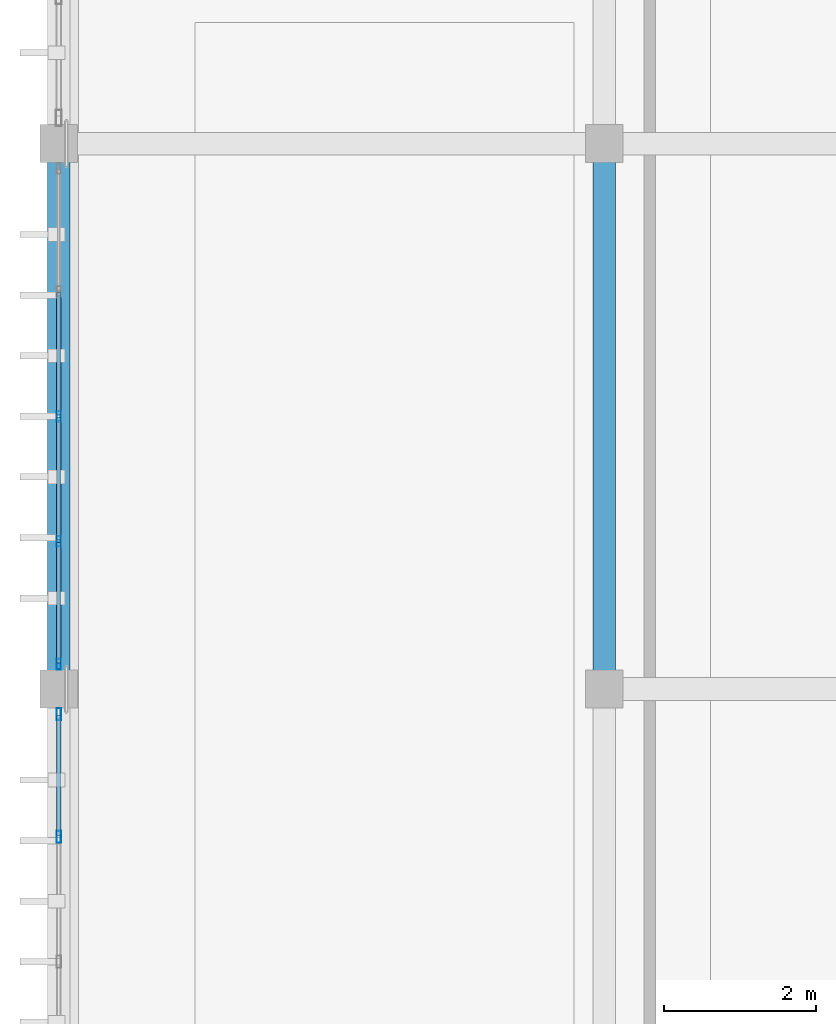
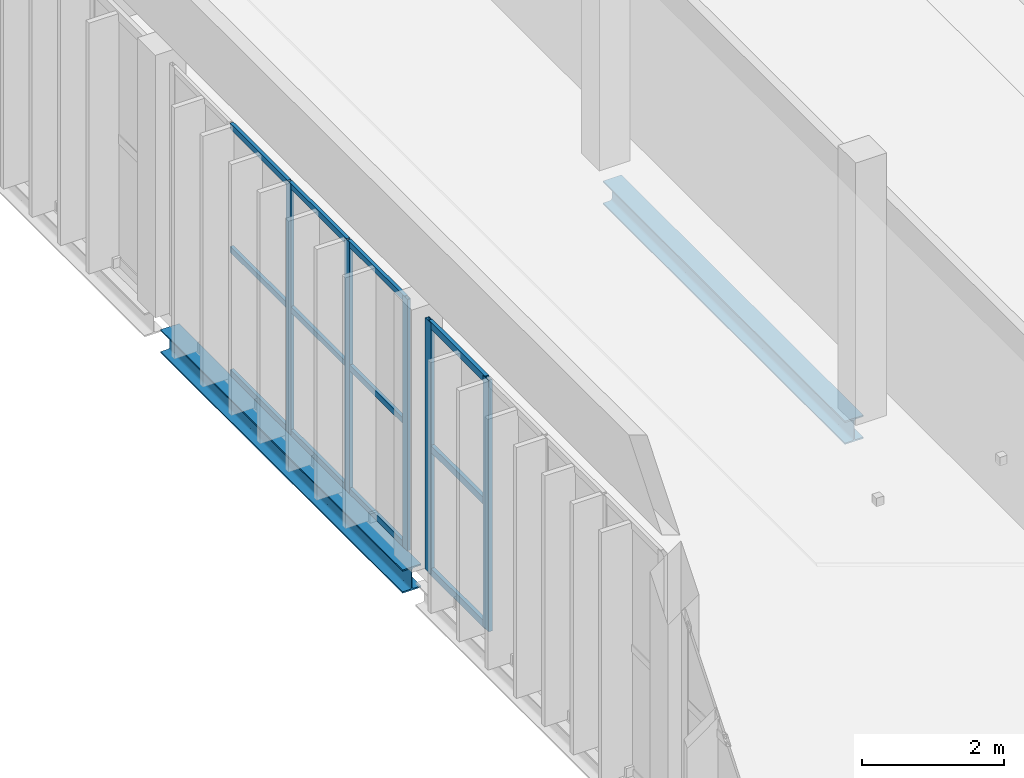
# One storey, part 11 of 64: 17 members, 2 beams, 2 elements without a shape of their own.
"""IFC4 building model written with IfcOpenShell, lengths in metres."""

import ifcopenshell
import ifcopenshell.guid

model = None  # the IFC model being written
_history = None  # IfcOwnerHistory: only IFC2X3 demands one
_inside = {}  # id of a spatial element -> (the spatial element, [elements in it])
_under = {}  # id of a project, library or spatial element -> (it, [spatial elements below it])
_declared = {}  # id of a project -> (the project, [libraries it declares])
_typed = {}  # id of a type object -> (the type object, [elements of that type])
_made_of = {}  # id of a material, layer set ... -> (it, [elements and type objects made of it])


def new_model(schema):
    """Start an empty IFC model of exactly this schema.

    Asked for "IFC4X3", IfcOpenShell would pick the latest addendum, in which some entities
    have other attributes; the version numbers below select the first issue.
    IFC2X3 requires an IfcOwnerHistory on every rooted entity: one is made here for all.
    """
    global model, _history
    if schema == "IFC4X3":
        model = ifcopenshell.file(schema_version=(4, 3, 0, 0))
    else:
        model = ifcopenshell.file(schema=schema)
    _inside.clear()
    _under.clear()
    _declared.clear()
    _typed.clear()
    _made_of.clear()
    _history = None
    if model.schema == "IFC2X3":
        org = make("IfcOrganization", Name="unknown")
        user = make(
            "IfcPersonAndOrganization",
            ThePerson=make("IfcPerson", FamilyName="unknown"),
            TheOrganization=org,
        )
        app = make(
            "IfcApplication",
            ApplicationDeveloper=org,
            Version="unknown",
            ApplicationFullName="unknown",
            ApplicationIdentifier="unknown",
        )
        _history = make(
            "IfcOwnerHistory",
            OwningUser=user,
            OwningApplication=app,
            ChangeAction="ADDED",
            CreationDate=0,
        )
    return model


def make(cls, **values):
    """One entity of the class cls with the attributes given. An attribute that is None is left unset."""
    return model.create_entity(
        cls, **{name: value for name, value in values.items() if value is not None}
    )


def rooted(cls, **values):
    """An entity with a GlobalId (a new one), such as an element, a storey or a relation."""
    return make(cls, GlobalId=ifcopenshell.guid.new(), OwnerHistory=_history, **values)


def si_unit(unit_type, name, prefix=None):
    """IfcSIUnit, for example si_unit("LENGTHUNIT", "METRE", prefix="MILLI")."""
    return make("IfcSIUnit", UnitType=unit_type, Prefix=prefix, Name=name)


def assignment(units):
    """IfcUnitAssignment: the units of a project."""
    return None if units is None else make("IfcUnitAssignment", Units=units)


def point(xyz):
    """IfcCartesianPoint."""
    return None if xyz is None else make("IfcCartesianPoint", Coordinates=xyz)


def direction(xyz):
    """IfcDirection."""
    return None if xyz is None else make("IfcDirection", DirectionRatios=xyz)


def frame(location, z_axis=None, x_axis=None):
    """IfcAxis2Placement3D, a coordinate frame: its origin and axes. An axis left out is left unset."""
    return make(
        "IfcAxis2Placement3D",
        Location=point(location),
        Axis=direction(z_axis),
        RefDirection=direction(x_axis),
    )


def frame_2d(location, x_axis=None):
    """IfcAxis2Placement2D, a coordinate frame in the plane: its origin and x axis."""
    return make(
        "IfcAxis2Placement2D", Location=point(location), RefDirection=direction(x_axis)
    )


def origin():
    """The frame at (0, 0, 0) with its axes left unset."""
    return frame((0.0, 0.0, 0.0))


def origin_2d():
    """The frame at (0, 0) in the plane with its x axis left unset."""
    return frame_2d((0.0, 0.0))


def place(relative_to, where):
    """IfcLocalPlacement: puts the frame where relative to a parent placement (None: the world)."""
    return make(
        "IfcLocalPlacement", PlacementRelTo=relative_to, RelativePlacement=where
    )


def context(
    kind, dimensions, precision=None, world=None, true_north=None, identifier=None
):
    """IfcGeometricRepresentationContext, for example the 3D "Model" context."""
    return make(
        "IfcGeometricRepresentationContext",
        ContextIdentifier=identifier,
        ContextType=kind,
        CoordinateSpaceDimension=dimensions,
        Precision=precision,
        WorldCoordinateSystem=world,
        TrueNorth=true_north,
    )


def subcontext(parent, identifier, kind, view, scale=None):
    """IfcGeometricRepresentationSubContext, for example "Body" below "Model"."""
    return make(
        "IfcGeometricRepresentationSubContext",
        ContextIdentifier=identifier,
        ContextType=kind,
        ParentContext=parent,
        TargetScale=scale,
        TargetView=view,
    )


def project(units=None, contexts=None):
    """IfcProject with its units and contexts."""
    return rooted(
        "IfcProject",
        Name="project",
        RepresentationContexts=contexts,
        UnitsInContext=assignment(units),
    )


def spatial(cls, under=None, at=None, **own):
    """A site, building, storey or space (cls), placed at a placement, below another one or the project."""
    s = rooted(cls, ObjectPlacement=at, **own)
    if under is not None:
        _under.setdefault(under.id(), (under, []))[1].append(s)
    return s


def profile(cls, at=None, kind="AREA", **sizes):
    """A parametric profile (cls). Its sizes go by their IFC names, for example OverallWidth=200.0."""
    return make(cls, ProfileType=kind, Position=at, **sizes)


def hollow_rectangle(**sizes):
    """IfcRectangleHollowProfileDef."""
    return profile("IfcRectangleHollowProfileDef", **sizes)


def i_section(**sizes):
    """IfcIShapeProfileDef."""
    return profile("IfcIShapeProfileDef", **sizes)


def extrude(swept, where, along, depth):
    """IfcExtrudedAreaSolid: the profile swept, set in the frame where, extruded along a direction by depth."""
    return make(
        "IfcExtrudedAreaSolid",
        SweptArea=swept,
        Position=where,
        ExtrudedDirection=direction(along),
        Depth=depth,
    )


def shape(context_of_items, identifier, shape_type, items):
    """IfcShapeRepresentation: the items that make up one representation, for example the "Body"."""
    return make(
        "IfcShapeRepresentation",
        ContextOfItems=context_of_items,
        RepresentationIdentifier=identifier,
        RepresentationType=shape_type,
        Items=items,
    )


def material(Name=None, Category=None):
    """IfcMaterial."""
    return make("IfcMaterial", Name=Name, Category=Category)


def material_profile(
    of_material, cross_section, Name=None, Category=None, Priority=None
):
    """IfcMaterialProfile: a cross section and its material."""
    return make(
        "IfcMaterialProfile",
        Name=Name,
        Material=of_material,
        Profile=cross_section,
        Priority=Priority,
        Category=Category,
    )


def profile_set(profiles, Name=None, composite=None):
    """IfcMaterialProfileSet."""
    return make(
        "IfcMaterialProfileSet",
        Name=Name,
        MaterialProfiles=profiles,
        CompositeProfile=composite,
    )


def made_of(thing, what):
    """Note that an element or type object is made of a material, layer set ...; save() writes the relation."""
    if what is not None:
        _made_of.setdefault(what.id(), (what, []))[1].append(thing)
    return thing


def type_object(cls, material=None, **own):
    """A type object (cls), such as IfcWallType, which elements share."""
    return made_of(rooted(cls, **own), material)


def element(
    cls,
    number,
    at=None,
    inside=None,
    cuts=None,
    type_object=None,
    material=None,
    context=None,
    identifier="Body",
    shape_type=None,
    held_by="IfcProductDefinitionShape",
    body=None,
    shapes=None,
    **own,
):
    """One element of the class cls, such as IfcWall. Its Tag is "e" and its number.

    at: its placement. inside: the storey or other place that contains it. cuts: it is an
    opening in that element (IfcRelVoidsElement). A single representation is given by context,
    identifier, shape_type and body (its items); several are given by shapes. held_by: the class
    of the entity that holds the representations. save() writes the other relations.
    """
    e = rooted(cls, Tag="e%d" % number, ObjectPlacement=at, **own)
    if body is not None:
        shapes = [shape(context, identifier, shape_type, body)]
    if shapes is not None:
        e.Representation = make(held_by, Representations=shapes)
    if inside is not None:
        _inside.setdefault(inside.id(), (inside, []))[1].append(e)
    if cuts is not None:
        rooted(
            "IfcRelVoidsElement", RelatingBuildingElement=cuts, RelatedOpeningElement=e
        )
    if type_object is not None:
        _typed.setdefault(type_object.id(), (type_object, []))[1].append(e)
    return made_of(e, material)


def aggregate(whole, parts):
    """IfcRelAggregates: a whole, such as a stair, and the parts it consists of."""
    return rooted("IfcRelAggregates", RelatingObject=whole, RelatedObjects=parts)


def save(model, path):
    """Write the relations noted so far, then the file.

    IfcRelAggregates (storeys below a building ...), IfcRelContainedInSpatialStructure (elements
    in a storey), IfcRelDefinesByType, IfcRelAssociatesMaterial and IfcRelDeclares: one each for
    every whole, place, type object, material and project.
    """
    for whole, parts in _under.values():
        aggregate(whole, parts)
    for where, things in _inside.values():
        rooted(
            "IfcRelContainedInSpatialStructure",
            RelatedElements=things,
            RelatingStructure=where,
        )
    for kind, things in _typed.values():
        rooted("IfcRelDefinesByType", RelatedObjects=things, RelatingType=kind)
    for what, things in _made_of.values():
        rooted("IfcRelAssociatesMaterial", RelatedObjects=things, RelatingMaterial=what)
    for by, libraries in _declared.values():
        rooted("IfcRelDeclares", RelatingContext=by, RelatedDefinitions=libraries)
    model.write(path)


model = new_model("IFC4")

# Units and contexts
model_context = context("Model", 3, precision=1e-05, world=origin(), true_north=direction((0.0, 1.0)))
body_context = subcontext(model_context, "Body", "Model", "MODEL_VIEW")
ifc_project = project(units=[si_unit("LENGTHUNIT", "METRE"), si_unit("AREAUNIT", "SQUARE_METRE"), si_unit("VOLUMEUNIT", "CUBIC_METRE"), si_unit("PLANEANGLEUNIT", "RADIAN"), si_unit("MASSUNIT", "GRAM", prefix="KILO")], contexts=[model_context])

# Site, building, storey
site_placement = place(None, origin())
site = spatial("IfcSite", under=ifc_project, at=site_placement, CompositionType="ELEMENT")
building_placement = place(site_placement, origin())
building = spatial("IfcBuilding", under=site, at=building_placement, Name="Qandorah Velis Arena", CompositionType="ELEMENT")
storey_placement = place(building_placement, frame((0.0, 0.0, 23.0)))
storey = spatial("IfcBuildingStorey", under=building, at=storey_placement, Name="L05", CompositionType="ELEMENT", Elevation=23.0)

# Curtain wall, members
ifc_material_1 = material(Name="Solar-control low-E double glazing", Category="glass")
curtain_wall_type_1 = type_object("IfcCurtainWallType", Name="ARC-CW-SYS20", PredefinedType="USERDEFINED", material=ifc_material_1)
curtain_wall_1_placement = place(storey_placement, origin())
curtain_wall_1 = element("IfcCurtainWall", 1, at=curtain_wall_1_placement, inside=storey, type_object=curtain_wall_type_1, Name="Unitised curtain wall L05-044", ObjectType="UNITISED CURTAIN WALL", PredefinedType="USERDEFINED")
ifc_material_2 = material(Name="Champagne-bronze anodized aluminium 6063-T6", Category="aluminium")
ifc_material_profile_1 = material_profile(ifc_material_2, hollow_rectangle(XDim=0.054931640625, YDim=0.139892578125, WallThickness=0.0029296875, at=origin_2d()), Name="ALU MULLION 55x140")
ifc_profile_set_1 = profile_set([ifc_material_profile_1], Name="Champagne-bronze anodized aluminium 6063-T6")
member_type_1 = type_object("IfcMemberType", Name="ARC-CWM-140", PredefinedType="MULLION", material=ifc_profile_set_1)
member_1_placement = place(storey_placement, frame((0.0, 43.527587890625, -0.014892578125), z_axis=(0.0, 0.0, 1.0), x_axis=(-1.0, 0.0, 0.0)))
member_1 = element("IfcMember", 2, at=member_1_placement, type_object=member_type_1, Name="CW20 mullion 1", PredefinedType="MULLION", context=body_context, shape_type="SweptSolid", body=[
    extrude(hollow_rectangle(XDim=0.054931640625, YDim=0.139892578125, WallThickness=0.0029296875, at=origin_2d()), origin(), (0.0, 0.0, 1.0), 4.309814453125),
])
member_2_placement = place(storey_placement, frame((0.0, 45.14990234375, -0.014892578125), z_axis=(0.0, 0.0, 1.0), x_axis=(-1.0, 0.0, 0.0)))
member_2 = element("IfcMember", 3, at=member_2_placement, type_object=member_type_1, Name="CW20 mullion 2", PredefinedType="MULLION", context=body_context, shape_type="SweptSolid", body=[
    extrude(hollow_rectangle(XDim=0.054931640625, YDim=0.139892578125, WallThickness=0.0029296875, at=origin_2d()), origin(), (0.0, 0.0, 1.0), 4.309814453125),
])
member_3_placement = place(storey_placement, frame((0.0, 46.800048828125, -0.014892578125), z_axis=(0.0, 0.0, 1.0), x_axis=(-1.0, 0.0, 0.0)))
member_3 = element("IfcMember", 4, at=member_3_placement, type_object=member_type_1, Name="CW20 mullion 3", PredefinedType="MULLION", context=body_context, shape_type="SweptSolid", body=[
    extrude(hollow_rectangle(XDim=0.054931640625, YDim=0.139892578125, WallThickness=0.0029296875, at=origin_2d()), origin(), (0.0, 0.0, 1.0), 4.309814453125),
])

curtain_wall_type_2 = type_object("IfcCurtainWallType", Name="ARC-CW-SYS19", PredefinedType="USERDEFINED", material=ifc_material_1)
curtain_wall_2_placement = place(storey_placement, origin())
curtain_wall_2 = element("IfcCurtainWall", 5, at=curtain_wall_2_placement, inside=storey, type_object=curtain_wall_type_2, Name="Unitised curtain wall L05-043", ObjectType="UNITISED CURTAIN WALL", PredefinedType="USERDEFINED")
ifc_material_profile_2 = material_profile(ifc_material_2, hollow_rectangle(XDim=0.06005859375, YDim=0.159912109375, WallThickness=0.00341796875, at=origin_2d()), Name="ALU MULLION 60x160")
ifc_profile_set_2 = profile_set([ifc_material_profile_2], Name="Champagne-bronze anodized aluminium 6063-T6")
member_type_2 = type_object("IfcMemberType", Name="ARC-CWM-160", PredefinedType="MULLION", material=ifc_profile_set_2)
member_4_placement = place(storey_placement, frame((0.0, 41.25, -0.014892578125), z_axis=(0.0, 0.0, 1.0), x_axis=(-1.0, 0.0, 0.0)))
member_4 = element("IfcMember", 6, at=member_4_placement, type_object=member_type_2, Name="CW19 mullion 4", PredefinedType="MULLION", context=body_context, shape_type="SweptSolid", body=[
    extrude(hollow_rectangle(XDim=0.06005859375, YDim=0.159912109375, WallThickness=0.00341796875, at=origin_2d()), origin(), (0.0, 0.0, 1.0), 4.309814453125),
])
member_5_placement = place(storey_placement, frame((0.0, 42.8701171875, -0.014892578125), z_axis=(0.0, 0.0, 1.0), x_axis=(-1.0, 0.0, 0.0)))
member_5 = element("IfcMember", 7, at=member_5_placement, type_object=member_type_2, Name="CW19 mullion 5", PredefinedType="MULLION", context=body_context, shape_type="SweptSolid", body=[
    extrude(hollow_rectangle(XDim=0.06005859375, YDim=0.159912109375, WallThickness=0.00341796875, at=origin_2d()), origin(), (0.0, 0.0, 1.0), 4.309814453125),
])

# Member
ifc_material_profile_3 = material_profile(ifc_material_2, hollow_rectangle(XDim=0.054931640625, YDim=0.10009765625, WallThickness=0.0029296875, at=origin_2d()), Name="ALU TRANSOM 55x100")
ifc_profile_set_3 = profile_set([ifc_material_profile_3], Name="Champagne-bronze anodized aluminium 6063-T6")
member_type_3 = type_object("IfcMemberType", Name="ARC-CWT-100", PredefinedType="USERDEFINED", material=ifc_profile_set_3)
member_6_placement = place(storey_placement, frame((0.0, 43.54296875, 0.027587890625), z_axis=(0.0, 1.0, 0.0), x_axis=(-1.0, 0.0, 0.0)))
member_6 = element("IfcMember", 8, at=member_6_placement, type_object=member_type_3, Name="CW20 transom 1.1", ObjectType="TRANSOM", PredefinedType="USERDEFINED", context=body_context, shape_type="SweptSolid", body=[
    extrude(hollow_rectangle(XDim=0.054931640625, YDim=0.10009765625, WallThickness=0.0029296875, at=origin_2d()), origin(), (0.0, 0.0, 1.0), 1.591552734375),
])

member_7_placement = place(storey_placement, frame((0.0, 43.54296875, 2.139892578125), z_axis=(0.0, 1.0, 0.0), x_axis=(-1.0, 0.0, 0.0)))
member_7 = element("IfcMember", 9, at=member_7_placement, type_object=member_type_3, Name="CW20 transom 1.2", ObjectType="TRANSOM", PredefinedType="USERDEFINED", context=body_context, shape_type="SweptSolid", body=[
    extrude(hollow_rectangle(XDim=0.054931640625, YDim=0.10009765625, WallThickness=0.0029296875, at=origin_2d()), origin(), (0.0, 0.0, 1.0), 1.591552734375),
])

member_8_placement = place(storey_placement, frame((0.0, 43.54296875, 4.25244140625), z_axis=(0.0, 1.0, 0.0), x_axis=(-1.0, 0.0, 0.0)))
member_8 = element("IfcMember", 10, at=member_8_placement, type_object=member_type_3, Name="CW20 transom 1.3", ObjectType="TRANSOM", PredefinedType="USERDEFINED", context=body_context, shape_type="SweptSolid", body=[
    extrude(hollow_rectangle(XDim=0.054931640625, YDim=0.10009765625, WallThickness=0.0029296875, at=origin_2d()), origin(), (0.0, 0.0, 1.0), 1.591552734375),
])

member_9_placement = place(storey_placement, frame((0.0, 45.16552734375, 0.027587890625), z_axis=(0.0, 1.0, 0.0), x_axis=(-1.0, 0.0, 0.0)))
member_9 = element("IfcMember", 11, at=member_9_placement, type_object=member_type_3, Name="CW20 transom 2.1", ObjectType="TRANSOM", PredefinedType="USERDEFINED", context=body_context, shape_type="SweptSolid", body=[
    extrude(hollow_rectangle(XDim=0.054931640625, YDim=0.10009765625, WallThickness=0.0029296875, at=origin_2d()), origin(), (0.0, 0.0, 1.0), 1.618896484375),
])

member_10_placement = place(storey_placement, frame((0.0, 45.16552734375, 2.139892578125), z_axis=(0.0, 1.0, 0.0), x_axis=(-1.0, 0.0, 0.0)))
member_10 = element("IfcMember", 12, at=member_10_placement, type_object=member_type_3, Name="CW20 transom 2.2", ObjectType="TRANSOM", PredefinedType="USERDEFINED", context=body_context, shape_type="SweptSolid", body=[
    extrude(hollow_rectangle(XDim=0.054931640625, YDim=0.10009765625, WallThickness=0.0029296875, at=origin_2d()), origin(), (0.0, 0.0, 1.0), 1.618896484375),
])

member_11_placement = place(storey_placement, frame((0.0, 45.16552734375, 4.25244140625), z_axis=(0.0, 1.0, 0.0), x_axis=(-1.0, 0.0, 0.0)))
member_11 = element("IfcMember", 13, at=member_11_placement, type_object=member_type_3, Name="CW20 transom 2.3", ObjectType="TRANSOM", PredefinedType="USERDEFINED", context=body_context, shape_type="SweptSolid", body=[
    extrude(hollow_rectangle(XDim=0.054931640625, YDim=0.10009765625, WallThickness=0.0029296875, at=origin_2d()), origin(), (0.0, 0.0, 1.0), 1.618896484375),
])

member_12_placement = place(storey_placement, frame((0.0, 46.8154296875, 0.027587890625), z_axis=(0.0, 1.0, 0.0), x_axis=(-1.0, 0.0, 0.0)))
member_12 = element("IfcMember", 14, at=member_12_placement, type_object=member_type_3, Name="CW20 transom 3.1", ObjectType="TRANSOM", PredefinedType="USERDEFINED", context=body_context, shape_type="SweptSolid", body=[
    extrude(hollow_rectangle(XDim=0.054931640625, YDim=0.10009765625, WallThickness=0.0029296875, at=origin_2d()), origin(), (0.0, 0.0, 1.0), 1.619140625),
])

member_13_placement = place(storey_placement, frame((0.0, 46.8154296875, 2.139892578125), z_axis=(0.0, 1.0, 0.0), x_axis=(-1.0, 0.0, 0.0)))
member_13 = element("IfcMember", 15, at=member_13_placement, type_object=member_type_3, Name="CW20 transom 3.2", ObjectType="TRANSOM", PredefinedType="USERDEFINED", context=body_context, shape_type="SweptSolid", body=[
    extrude(hollow_rectangle(XDim=0.054931640625, YDim=0.10009765625, WallThickness=0.0029296875, at=origin_2d()), origin(), (0.0, 0.0, 1.0), 1.619140625),
])

member_14_placement = place(storey_placement, frame((0.0, 46.8154296875, 4.25244140625), z_axis=(0.0, 1.0, 0.0), x_axis=(-1.0, 0.0, 0.0)))
member_14 = element("IfcMember", 16, at=member_14_placement, type_object=member_type_3, Name="CW20 transom 3.3", ObjectType="TRANSOM", PredefinedType="USERDEFINED", context=body_context, shape_type="SweptSolid", body=[
    extrude(hollow_rectangle(XDim=0.054931640625, YDim=0.10009765625, WallThickness=0.0029296875, at=origin_2d()), origin(), (0.0, 0.0, 1.0), 1.619140625),
])

aggregate(curtain_wall_1, [member_1, member_2, member_3, member_6, member_7, member_8, member_9, member_10, member_11, member_12, member_13, member_14])

ifc_material_profile_4 = material_profile(ifc_material_2, hollow_rectangle(XDim=0.06005859375, YDim=0.1201171875, WallThickness=0.0029296875, at=origin_2d()), Name="ALU TRANSOM 60x120")
ifc_profile_set_4 = profile_set([ifc_material_profile_4], Name="Champagne-bronze anodized aluminium 6063-T6")
member_type_4 = type_object("IfcMemberType", Name="ARC-CWT-120", PredefinedType="USERDEFINED", material=ifc_profile_set_4)
member_15_placement = place(storey_placement, frame((0.0, 41.26806640625, 0.030029296875), z_axis=(0.0, 1.0, 0.0), x_axis=(-1.0, 0.0, 0.0)))
member_15 = element("IfcMember", 17, at=member_15_placement, type_object=member_type_4, Name="CW19 transom 4.1", ObjectType="TRANSOM", PredefinedType="USERDEFINED", context=body_context, shape_type="SweptSolid", body=[
    extrude(hollow_rectangle(XDim=0.06005859375, YDim=0.1201171875, WallThickness=0.0029296875, at=origin_2d()), origin(), (0.0, 0.0, 1.0), 1.583984375),
])

member_16_placement = place(storey_placement, frame((0.0, 41.26806640625, 2.139892578125), z_axis=(0.0, 1.0, 0.0), x_axis=(-1.0, 0.0, 0.0)))
member_16 = element("IfcMember", 18, at=member_16_placement, type_object=member_type_4, Name="CW19 transom 4.2", ObjectType="TRANSOM", PredefinedType="USERDEFINED", context=body_context, shape_type="SweptSolid", body=[
    extrude(hollow_rectangle(XDim=0.06005859375, YDim=0.1201171875, WallThickness=0.0029296875, at=origin_2d()), origin(), (0.0, 0.0, 1.0), 1.583984375),
])

member_17_placement = place(storey_placement, frame((0.0, 41.26806640625, 4.25), z_axis=(0.0, 1.0, 0.0), x_axis=(-1.0, 0.0, 0.0)))
member_17 = element("IfcMember", 19, at=member_17_placement, type_object=member_type_4, Name="CW19 transom 4.3", ObjectType="TRANSOM", PredefinedType="USERDEFINED", context=body_context, shape_type="SweptSolid", body=[
    extrude(hollow_rectangle(XDim=0.06005859375, YDim=0.1201171875, WallThickness=0.0029296875, at=origin_2d()), origin(), (0.0, 0.0, 1.0), 1.583984375),
])

aggregate(curtain_wall_2, [member_4, member_5, member_15, member_16, member_17])

# Beams
ifc_material_3 = material(Name="Steel S355", Category="steel")
ifc_material_profile_5 = material_profile(ifc_material_3, i_section(OverallWidth=0.300048828125, OverallDepth=0.39990234375, WebThickness=0.013427734375, FlangeThickness=0.02392578125, FilletRadius=0.027099609375, at=origin_2d()), Name="HEB 400")
ifc_profile_set_5 = profile_set([ifc_material_profile_5], Name="Steel S355")
beam_type = type_object("IfcBeamType", Name="STR-BM-HEB400", PredefinedType="BEAM", material=ifc_profile_set_5)
beam_1_placement = place(storey_placement, frame((0.0, 43.37841796875, -0.449951171875), z_axis=(0.0, 1.0, 0.0), x_axis=(-1.0, 0.0, 0.0)))
element("IfcBeam", 20, at=beam_1_placement, inside=storey, type_object=beam_type, Name="Primary floor girder L05 Y-117", PredefinedType="BEAM", context=body_context, shape_type="SweptSolid", body=[
    extrude(i_section(OverallWidth=0.300048828125, OverallDepth=0.39990234375, WebThickness=0.013427734375, FlangeThickness=0.02392578125, FilletRadius=0.027099609375, at=origin_2d()), origin(), (0.0, 0.0, 1.0), 6.796630859375),
])
beam_2_placement = place(storey_placement, frame((7.199951171875, 43.425048828125, -0.449951171875), z_axis=(0.0, 1.0, 0.0), x_axis=(-1.0, 0.0, 0.0)))
element("IfcBeam", 21, at=beam_2_placement, inside=storey, type_object=beam_type, Name="Primary floor girder L05 Y-129", PredefinedType="BEAM", context=body_context, shape_type="SweptSolid", body=[
    extrude(i_section(OverallWidth=0.300048828125, OverallDepth=0.39990234375, WebThickness=0.013427734375, FlangeThickness=0.02392578125, FilletRadius=0.027099609375, at=origin_2d()), origin(), (0.0, 0.0, 1.0), 6.79638671875),
])

save(model, "model.ifc")
